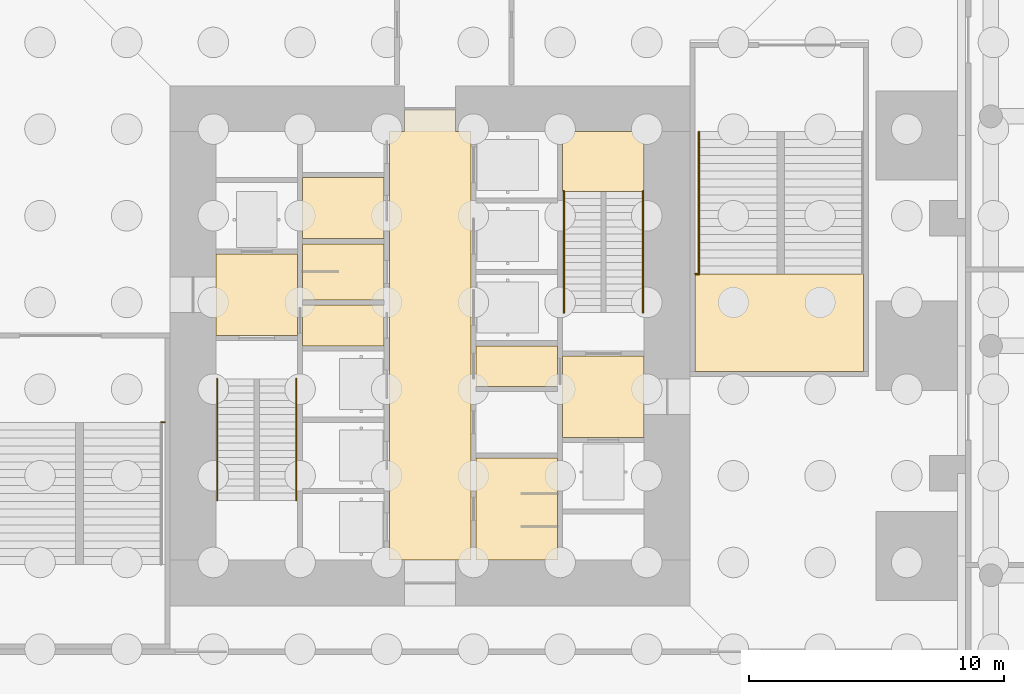
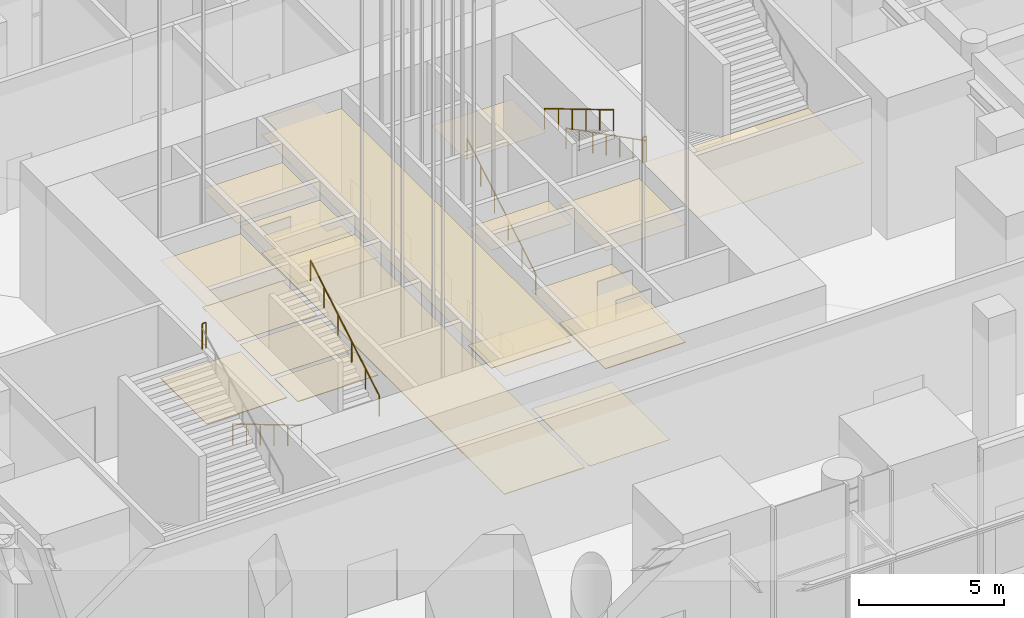
# One storey, part 44 of 46: 18 coverings, 7 railings.
"""IFC4 building model written with IfcOpenShell, lengths in metres."""

import ifcopenshell
import ifcopenshell.guid

model = None  # the IFC model being written
_history = None  # IfcOwnerHistory: only IFC2X3 demands one
_inside = {}  # id of a spatial element -> (the spatial element, [elements in it])
_under = {}  # id of a project, library or spatial element -> (it, [spatial elements below it])
_declared = {}  # id of a project -> (the project, [libraries it declares])
_typed = {}  # id of a type object -> (the type object, [elements of that type])
_made_of = {}  # id of a material, layer set ... -> (it, [elements and type objects made of it])


def new_model(schema):
    """Start an empty IFC model of exactly this schema.

    Asked for "IFC4X3", IfcOpenShell would pick the latest addendum, in which some entities
    have other attributes; the version numbers below select the first issue.
    IFC2X3 requires an IfcOwnerHistory on every rooted entity: one is made here for all.
    """
    global model, _history
    if schema == "IFC4X3":
        model = ifcopenshell.file(schema_version=(4, 3, 0, 0))
    else:
        model = ifcopenshell.file(schema=schema)
    _inside.clear()
    _under.clear()
    _declared.clear()
    _typed.clear()
    _made_of.clear()
    _history = None
    if model.schema == "IFC2X3":
        org = make("IfcOrganization", Name="unknown")
        user = make(
            "IfcPersonAndOrganization",
            ThePerson=make("IfcPerson", FamilyName="unknown"),
            TheOrganization=org,
        )
        app = make(
            "IfcApplication",
            ApplicationDeveloper=org,
            Version="unknown",
            ApplicationFullName="unknown",
            ApplicationIdentifier="unknown",
        )
        _history = make(
            "IfcOwnerHistory",
            OwningUser=user,
            OwningApplication=app,
            ChangeAction="ADDED",
            CreationDate=0,
        )
    return model


def make(cls, **values):
    """One entity of the class cls with the attributes given. An attribute that is None is left unset."""
    return model.create_entity(
        cls, **{name: value for name, value in values.items() if value is not None}
    )


def rooted(cls, **values):
    """An entity with a GlobalId (a new one), such as an element, a storey or a relation."""
    return make(cls, GlobalId=ifcopenshell.guid.new(), OwnerHistory=_history, **values)


def si_unit(unit_type, name, prefix=None):
    """IfcSIUnit, for example si_unit("LENGTHUNIT", "METRE", prefix="MILLI")."""
    return make("IfcSIUnit", UnitType=unit_type, Prefix=prefix, Name=name)


def assignment(units):
    """IfcUnitAssignment: the units of a project."""
    return None if units is None else make("IfcUnitAssignment", Units=units)


def point(xyz):
    """IfcCartesianPoint."""
    return None if xyz is None else make("IfcCartesianPoint", Coordinates=xyz)


def direction(xyz):
    """IfcDirection."""
    return None if xyz is None else make("IfcDirection", DirectionRatios=xyz)


def frame(location, z_axis=None, x_axis=None):
    """IfcAxis2Placement3D, a coordinate frame: its origin and axes. An axis left out is left unset."""
    return make(
        "IfcAxis2Placement3D",
        Location=point(location),
        Axis=direction(z_axis),
        RefDirection=direction(x_axis),
    )


def frame_2d(location, x_axis=None):
    """IfcAxis2Placement2D, a coordinate frame in the plane: its origin and x axis."""
    return make(
        "IfcAxis2Placement2D", Location=point(location), RefDirection=direction(x_axis)
    )


def origin():
    """The frame at (0, 0, 0) with its axes left unset."""
    return frame((0.0, 0.0, 0.0))


def origin_2d():
    """The frame at (0, 0) in the plane with its x axis left unset."""
    return frame_2d((0.0, 0.0))


def place(relative_to, where):
    """IfcLocalPlacement: puts the frame where relative to a parent placement (None: the world)."""
    return make(
        "IfcLocalPlacement", PlacementRelTo=relative_to, RelativePlacement=where
    )


def context(
    kind, dimensions, precision=None, world=None, true_north=None, identifier=None
):
    """IfcGeometricRepresentationContext, for example the 3D "Model" context."""
    return make(
        "IfcGeometricRepresentationContext",
        ContextIdentifier=identifier,
        ContextType=kind,
        CoordinateSpaceDimension=dimensions,
        Precision=precision,
        WorldCoordinateSystem=world,
        TrueNorth=true_north,
    )


def subcontext(parent, identifier, kind, view, scale=None):
    """IfcGeometricRepresentationSubContext, for example "Body" below "Model"."""
    return make(
        "IfcGeometricRepresentationSubContext",
        ContextIdentifier=identifier,
        ContextType=kind,
        ParentContext=parent,
        TargetScale=scale,
        TargetView=view,
    )


def project(units=None, contexts=None):
    """IfcProject with its units and contexts."""
    return rooted(
        "IfcProject",
        Name="project",
        RepresentationContexts=contexts,
        UnitsInContext=assignment(units),
    )


def spatial(cls, under=None, at=None, **own):
    """A site, building, storey or space (cls), placed at a placement, below another one or the project."""
    s = rooted(cls, ObjectPlacement=at, **own)
    if under is not None:
        _under.setdefault(under.id(), (under, []))[1].append(s)
    return s


def polyline(points):
    """IfcPolyline through the points."""
    return make("IfcPolyline", Points=[point(p) for p in points])


def profile(cls, at=None, kind="AREA", **sizes):
    """A parametric profile (cls). Its sizes go by their IFC names, for example OverallWidth=200.0."""
    return make(cls, ProfileType=kind, Position=at, **sizes)


def circle(**sizes):
    """IfcCircleProfileDef."""
    return profile("IfcCircleProfileDef", **sizes)


def outline(outer, holes=None, kind="AREA"):
    """IfcArbitraryClosedProfileDef: a profile drawn as a closed curve; with holes, ...WithVoids."""
    if holes is None:
        return make("IfcArbitraryClosedProfileDef", ProfileType=kind, OuterCurve=outer)
    return make(
        "IfcArbitraryProfileDefWithVoids",
        ProfileType=kind,
        OuterCurve=outer,
        InnerCurves=holes,
    )


def extrude(swept, where, along, depth):
    """IfcExtrudedAreaSolid: the profile swept, set in the frame where, extruded along a direction by depth."""
    return make(
        "IfcExtrudedAreaSolid",
        SweptArea=swept,
        Position=where,
        ExtrudedDirection=direction(along),
        Depth=depth,
    )


def shape(context_of_items, identifier, shape_type, items):
    """IfcShapeRepresentation: the items that make up one representation, for example the "Body"."""
    return make(
        "IfcShapeRepresentation",
        ContextOfItems=context_of_items,
        RepresentationIdentifier=identifier,
        RepresentationType=shape_type,
        Items=items,
    )


def material(Name=None, Category=None):
    """IfcMaterial."""
    return make("IfcMaterial", Name=Name, Category=Category)


def layer(
    of_material, thickness, ventilated=None, Name=None, Category=None, Priority=None
):
    """IfcMaterialLayer: one layer of a wall or slab, of a material (None: an air gap)."""
    return make(
        "IfcMaterialLayer",
        Material=of_material,
        LayerThickness=thickness,
        IsVentilated=ventilated,
        Name=Name,
        Category=Category,
        Priority=Priority,
    )


def layer_set(layers, Name=None):
    """IfcMaterialLayerSet."""
    return make("IfcMaterialLayerSet", MaterialLayers=layers, LayerSetName=Name)


def made_of(thing, what):
    """Note that an element or type object is made of a material, layer set ...; save() writes the relation."""
    if what is not None:
        _made_of.setdefault(what.id(), (what, []))[1].append(thing)
    return thing


def type_object(cls, material=None, **own):
    """A type object (cls), such as IfcWallType, which elements share."""
    return made_of(rooted(cls, **own), material)


def element(
    cls,
    number,
    at=None,
    inside=None,
    cuts=None,
    type_object=None,
    material=None,
    context=None,
    identifier="Body",
    shape_type=None,
    held_by="IfcProductDefinitionShape",
    body=None,
    shapes=None,
    **own,
):
    """One element of the class cls, such as IfcWall. Its Tag is "e" and its number.

    at: its placement. inside: the storey or other place that contains it. cuts: it is an
    opening in that element (IfcRelVoidsElement). A single representation is given by context,
    identifier, shape_type and body (its items); several are given by shapes. held_by: the class
    of the entity that holds the representations. save() writes the other relations.
    """
    e = rooted(cls, Tag="e%d" % number, ObjectPlacement=at, **own)
    if body is not None:
        shapes = [shape(context, identifier, shape_type, body)]
    if shapes is not None:
        e.Representation = make(held_by, Representations=shapes)
    if inside is not None:
        _inside.setdefault(inside.id(), (inside, []))[1].append(e)
    if cuts is not None:
        rooted(
            "IfcRelVoidsElement", RelatingBuildingElement=cuts, RelatedOpeningElement=e
        )
    if type_object is not None:
        _typed.setdefault(type_object.id(), (type_object, []))[1].append(e)
    return made_of(e, material)


def aggregate(whole, parts):
    """IfcRelAggregates: a whole, such as a stair, and the parts it consists of."""
    return rooted("IfcRelAggregates", RelatingObject=whole, RelatedObjects=parts)


def save(model, path):
    """Write the relations noted so far, then the file.

    IfcRelAggregates (storeys below a building ...), IfcRelContainedInSpatialStructure (elements
    in a storey), IfcRelDefinesByType, IfcRelAssociatesMaterial and IfcRelDeclares: one each for
    every whole, place, type object, material and project.
    """
    for whole, parts in _under.values():
        aggregate(whole, parts)
    for where, things in _inside.values():
        rooted(
            "IfcRelContainedInSpatialStructure",
            RelatedElements=things,
            RelatingStructure=where,
        )
    for kind, things in _typed.values():
        rooted("IfcRelDefinesByType", RelatedObjects=things, RelatingType=kind)
    for what, things in _made_of.values():
        rooted("IfcRelAssociatesMaterial", RelatedObjects=things, RelatingMaterial=what)
    for by, libraries in _declared.values():
        rooted("IfcRelDeclares", RelatingContext=by, RelatedDefinitions=libraries)
    model.write(path)


model = new_model("IFC4")

# Units and contexts
model_context = context("Model", 3, precision=1e-05, world=origin(), true_north=direction((0.0, 1.0)))
body_context = subcontext(model_context, "Body", "Model", "MODEL_VIEW")
ifc_project = project(units=[si_unit("LENGTHUNIT", "METRE"), si_unit("AREAUNIT", "SQUARE_METRE"), si_unit("VOLUMEUNIT", "CUBIC_METRE"), si_unit("PLANEANGLEUNIT", "RADIAN"), si_unit("MASSUNIT", "GRAM", prefix="KILO")], contexts=[model_context])

# Site, building, storey
site_placement = place(None, origin())
site = spatial("IfcSite", under=ifc_project, at=site_placement, CompositionType="ELEMENT")
building_placement = place(site_placement, origin())
building = spatial("IfcBuilding", under=site, at=building_placement, Name="Svetlomir Tower", CompositionType="ELEMENT")
storey_placement = place(building_placement, origin())
storey = spatial("IfcBuildingStorey", under=building, at=storey_placement, Name="L00", CompositionType="ELEMENT", Elevation=0.0)

# Coverings
ifc_material_1 = material(Name="Ceramic floor tile", Category="ceramic")
ifc_layer_1 = layer(ifc_material_1, 0.014892578125)
ifc_layer_set_1 = layer_set([ifc_layer_1], Name="Ceramic floor tile")
covering_type_1 = type_object("IfcCoveringType", Name="CERAMIC TILE FLOOR 15", PredefinedType="FLOORING", material=ifc_layer_set_1)
covering_1_placement = place(storey_placement, origin())
element("IfcCovering", 1, at=covering_1_placement, inside=storey, type_object=covering_type_1, Name="Floor finish L00-04", PredefinedType="FLOORING", context=body_context, shape_type="SweptSolid", body=[
    extrude(outline(polyline([(16.0, 22.800048828125), (19.199951171875, 22.800048828125), (19.199951171875, 25.0), (16.0, 25.0), (16.0, 22.800048828125)])), origin(), (0.0, 0.0, 1.0), 0.014892578125),
])
covering_2_placement = place(storey_placement, origin())
element("IfcCovering", 2, at=covering_2_placement, inside=storey, type_object=covering_type_1, Name="Floor finish L00-05", PredefinedType="FLOORING", context=body_context, shape_type="SweptSolid", body=[
    extrude(outline(polyline([(16.0, 25.199951171875), (19.199951171875, 25.199951171875), (19.199951171875, 27.60009765625), (16.0, 27.60009765625), (16.0, 25.199951171875)])), origin(), (0.0, 0.0, 1.0), 0.014892578125),
])
covering_3_placement = place(storey_placement, origin())
element("IfcCovering", 3, at=covering_3_placement, inside=storey, type_object=covering_type_1, Name="Floor finish L00-08", PredefinedType="FLOORING", context=body_context, shape_type="SweptSolid", body=[
    extrude(outline(polyline([(22.800048828125, 12.60009765625), (26.0, 12.60009765625), (26.0, 16.60009765625), (22.800048828125, 16.60009765625), (22.800048828125, 12.60009765625)])), origin(), (0.0, 0.0, 1.0), 0.014892578125),
])

# Railings
ifc_material_2 = material(Name="Stainless steel", Category="steel")
railing_type_1 = type_object("IfcRailingType", Name="HANDRAIL HR1 900", PredefinedType="HANDRAIL", material=ifc_material_2)
railing_1_placement = place(storey_placement, frame((12.64990234375, 19.699951171875, 0.166748046875)))
element("IfcRailing", 4, at=railing_1_placement, inside=storey, type_object=railing_type_1, Name="Handrail S1 flight 1 L00", PredefinedType="HANDRAIL", context=body_context, shape_type="SweptSolid", body=[
    extrude(circle(Radius=0.02392578125, at=origin_2d()), frame((0.0, 0.0, 0.8759765625), z_axis=(0.0, -0.859299802514, 0.511472237174), x_axis=(1.0, 0.0, 0.0)), (0.0, 0.0, 1.0), 5.539306640625),
    extrude(circle(Radius=0.02099609375, at=origin_2d()), origin(), (0.0, 0.0, 1.0), 0.851806640625),
    extrude(circle(Radius=0.02099609375, at=origin_2d()), frame((0.0, -0.951904296875, 0.566650390625)), (0.0, 0.0, 1.0), 0.851806640625),
    extrude(circle(Radius=0.02099609375, at=origin_2d()), frame((0.0, -1.904052734375, 1.13330078125)), (0.0, 0.0, 1.0), 0.851806640625),
    extrude(circle(Radius=0.02099609375, at=origin_2d()), frame((0.0, -2.85595703125, 1.699951171875)), (0.0, 0.0, 1.0), 0.851806640625),
    extrude(circle(Radius=0.02099609375, at=origin_2d()), frame((0.0, -3.80810546875, 2.2666015625)), (0.0, 0.0, 1.0), 0.851806640625),
    extrude(circle(Radius=0.02099609375, at=origin_2d()), frame((0.0, -4.760009765625, 2.833251953125)), (0.0, 0.0, 1.0), 0.851806640625),
])
for number, where, name in (
    (5, (15.75, 14.93994140625, 3.166748046875), "Handrail S1 flight 2 L00"),
    (6, (26.25, 22.300048828125, 0.166748046875), "Handrail S2 flight 1 L00"),
):
    element("IfcRailing", number, at=place(storey_placement, frame(where)), inside=storey, type_object=railing_type_1, Name=name, PredefinedType="HANDRAIL", context=body_context, shape_type="SweptSolid", body=[
        extrude(circle(Radius=0.02392578125, at=origin_2d()), frame((0.0, 0.0, 0.8759765625), z_axis=(0.0, 0.859299802514, 0.511472237174), x_axis=(-1.0, 0.0, 0.0)), (0.0, 0.0, 1.0), 5.539306640625),
        extrude(circle(Radius=0.02099609375, at=origin_2d()), origin(), (0.0, 0.0, 1.0), 0.851806640625),
        extrude(circle(Radius=0.02099609375, at=origin_2d()), frame((0.0, 0.951904296875, 0.566650390625)), (0.0, 0.0, 1.0), 0.851806640625),
        extrude(circle(Radius=0.02099609375, at=origin_2d()), frame((0.0, 1.904052734375, 1.13330078125)), (0.0, 0.0, 1.0), 0.851806640625),
        extrude(circle(Radius=0.02099609375, at=origin_2d()), frame((0.0, 2.85595703125, 1.699951171875)), (0.0, 0.0, 1.0), 0.851806640625),
        extrude(circle(Radius=0.02099609375, at=origin_2d()), frame((0.0, 3.80810546875, 2.2666015625)), (0.0, 0.0, 1.0), 0.851806640625),
        extrude(circle(Radius=0.02099609375, at=origin_2d()), frame((0.0, 4.760009765625, 2.833251953125)), (0.0, 0.0, 1.0), 0.851806640625),
    ])
railing_2_placement = place(storey_placement, frame((29.35009765625, 27.06005859375, 3.166748046875)))
element("IfcRailing", 7, at=railing_2_placement, inside=storey, type_object=railing_type_1, Name="Handrail S2 flight 2 L00", PredefinedType="HANDRAIL", context=body_context, shape_type="SweptSolid", body=[
    extrude(circle(Radius=0.02392578125, at=origin_2d()), frame((0.0, 0.0, 0.8759765625), z_axis=(0.0, -0.859299802514, 0.511472237174), x_axis=(1.0, 0.0, 0.0)), (0.0, 0.0, 1.0), 5.539306640625),
    extrude(circle(Radius=0.02099609375, at=origin_2d()), origin(), (0.0, 0.0, 1.0), 0.851806640625),
    extrude(circle(Radius=0.02099609375, at=origin_2d()), frame((0.0, -0.951904296875, 0.566650390625)), (0.0, 0.0, 1.0), 0.851806640625),
    extrude(circle(Radius=0.02099609375, at=origin_2d()), frame((0.0, -1.904052734375, 1.13330078125)), (0.0, 0.0, 1.0), 0.851806640625),
    extrude(circle(Radius=0.02099609375, at=origin_2d()), frame((0.0, -2.85595703125, 1.699951171875)), (0.0, 0.0, 1.0), 0.851806640625),
    extrude(circle(Radius=0.02099609375, at=origin_2d()), frame((0.0, -3.80810546875, 2.2666015625)), (0.0, 0.0, 1.0), 0.851806640625),
    extrude(circle(Radius=0.02099609375, at=origin_2d()), frame((0.0, -4.760009765625, 2.833251953125)), (0.0, 0.0, 1.0), 0.851806640625),
])
railing_3_placement = place(storey_placement, frame((31.550048828125, 29.39990234375, 0.157958984375)))
element("IfcRailing", 8, at=railing_3_placement, inside=storey, type_object=railing_type_1, Name="Handrail P2 flight 1 L00", PredefinedType="HANDRAIL", context=body_context, shape_type="SweptSolid", body=[
    extrude(circle(Radius=0.02392578125, at=origin_2d()), frame((0.0, 0.0, 0.8759765625), z_axis=(0.0, -0.891072818366, 0.453860366598), x_axis=(1.0, 0.0, 0.0)), (0.0, 0.0, 1.0), 6.261962890625),
    extrude(circle(Radius=0.02099609375, at=origin_2d()), origin(), (0.0, 0.0, 1.0), 0.851806640625),
    extrude(circle(Radius=0.02099609375, at=origin_2d()), frame((0.0, -0.929931640625, 0.4736328125)), (0.0, 0.0, 1.0), 0.851806640625),
    extrude(circle(Radius=0.02099609375, at=origin_2d()), frame((0.0, -1.85986328125, 0.947265625)), (0.0, 0.0, 1.0), 0.851806640625),
    extrude(circle(Radius=0.02099609375, at=origin_2d()), frame((0.0, -2.7900390625, 1.4208984375)), (0.0, 0.0, 1.0), 0.851806640625),
    extrude(circle(Radius=0.02099609375, at=origin_2d()), frame((0.0, -3.719970703125, 1.894775390625)), (0.0, 0.0, 1.0), 0.851806640625),
    extrude(circle(Radius=0.02099609375, at=origin_2d()), frame((0.0, -4.64990234375, 2.368408203125)), (0.0, 0.0, 1.0), 0.851806640625),
    extrude(circle(Radius=0.02099609375, at=origin_2d()), frame((0.0, -5.579833984375, 2.842041015625)), (0.0, 0.0, 1.0), 0.851806640625),
])

# Coverings
ifc_material_3 = material(Name="Moisture resistant plasterboard ceiling", Category="gypsum")
ifc_layer_2 = layer(ifc_material_3, 0.012451171875)
ifc_layer_set_2 = layer_set([ifc_layer_2], Name="Moisture resistant plasterboard ceiling")
covering_type_2 = type_object("IfcCoveringType", Name="MOISTURE RESISTANT CEILING 12.5", PredefinedType="CEILING", material=ifc_layer_set_2)
covering_4_placement = place(storey_placement, frame((0.0, 0.0, 4.987548828125)))
element("IfcCovering", 9, at=covering_4_placement, inside=storey, type_object=covering_type_2, Name="Ceiling L00-04", PredefinedType="CEILING", context=body_context, shape_type="SweptSolid", body=[
    extrude(outline(polyline([(16.0, 22.800048828125), (19.199951171875, 22.800048828125), (19.199951171875, 25.0), (16.0, 25.0), (16.0, 22.800048828125)])), origin(), (0.0, 0.0, 1.0), 0.012451171875),
])
covering_5_placement = place(storey_placement, frame((0.0, 0.0, 4.987548828125)))
element("IfcCovering", 10, at=covering_5_placement, inside=storey, type_object=covering_type_2, Name="Ceiling L00-05", PredefinedType="CEILING", context=body_context, shape_type="SweptSolid", body=[
    extrude(outline(polyline([(16.0, 25.199951171875), (19.199951171875, 25.199951171875), (19.199951171875, 27.60009765625), (16.0, 27.60009765625), (16.0, 25.199951171875)])), origin(), (0.0, 0.0, 1.0), 0.012451171875),
])
covering_6_placement = place(storey_placement, frame((0.0, 0.0, 4.987548828125)))
element("IfcCovering", 11, at=covering_6_placement, inside=storey, type_object=covering_type_2, Name="Ceiling L00-08", PredefinedType="CEILING", context=body_context, shape_type="SweptSolid", body=[
    extrude(outline(polyline([(22.800048828125, 12.60009765625), (26.0, 12.60009765625), (26.0, 16.60009765625), (22.800048828125, 16.60009765625), (22.800048828125, 12.60009765625)])), origin(), (0.0, 0.0, 1.0), 0.012451171875),
])
ifc_material_4 = material(Name="Gypsum plasterboard ceiling", Category="gypsum")
ifc_layer_3 = layer(ifc_material_4, 0.014892578125)
ifc_layer_set_3 = layer_set([ifc_layer_3], Name="Gypsum plasterboard ceiling")
covering_type_3 = type_object("IfcCoveringType", Name="PLASTERBOARD CEILING 15", PredefinedType="CEILING", material=ifc_layer_set_3)
covering_7_placement = place(storey_placement, frame((0.0, 0.0, 4.985107421875)))
element("IfcCovering", 12, at=covering_7_placement, inside=storey, type_object=covering_type_3, Name="Ceiling L00-02", PredefinedType="CEILING", context=body_context, shape_type="SweptSolid", body=[
    extrude(outline(polyline([(12.60009765625, 21.39990234375), (15.800048828125, 21.39990234375), (15.800048828125, 24.60009765625), (12.60009765625, 24.60009765625), (12.60009765625, 21.39990234375)])), origin(), (0.0, 0.0, 1.0), 0.014892578125),
])
covering_8_placement = place(storey_placement, frame((0.0, 0.0, 4.985107421875)))
element("IfcCovering", 13, at=covering_8_placement, inside=storey, type_object=covering_type_3, Name="Ceiling L00-03", PredefinedType="CEILING", context=body_context, shape_type="SweptSolid", body=[
    extrude(outline(polyline([(16.0, 21.0), (19.199951171875, 21.0), (19.199951171875, 22.60009765625), (16.0, 22.60009765625), (16.0, 21.0)])), origin(), (0.0, 0.0, 1.0), 0.014892578125),
])
covering_9_placement = place(storey_placement, frame((0.0, 0.0, 4.985107421875)))
element("IfcCovering", 14, at=covering_9_placement, inside=storey, type_object=covering_type_3, Name="Ceiling L00-07", PredefinedType="CEILING", context=body_context, shape_type="SweptSolid", body=[
    extrude(outline(polyline([(19.39990234375, 12.60009765625), (22.60009765625, 12.60009765625), (22.60009765625, 29.39990234375), (22.0, 29.39990234375), (22.0, 30.25), (20.0, 30.25), (20.0, 29.39990234375), (19.39990234375, 29.39990234375), (19.39990234375, 12.60009765625)])), origin(), (0.0, 0.0, 1.0), 0.014892578125),
])
covering_10_placement = place(storey_placement, frame((0.0, 0.0, 4.985107421875)))
element("IfcCovering", 15, at=covering_10_placement, inside=storey, type_object=covering_type_3, Name="Ceiling L00-10", PredefinedType="CEILING", context=body_context, shape_type="SweptSolid", body=[
    extrude(outline(polyline([(22.800048828125, 19.39990234375), (26.0, 19.39990234375), (26.0, 21.0), (22.800048828125, 21.0), (22.800048828125, 19.39990234375)])), origin(), (0.0, 0.0, 1.0), 0.014892578125),
])
covering_11_placement = place(storey_placement, frame((0.0, 0.0, 4.985107421875)))
element("IfcCovering", 16, at=covering_11_placement, inside=storey, type_object=covering_type_3, Name="Ceiling L00-11", PredefinedType="CEILING", context=body_context, shape_type="SweptSolid", body=[
    extrude(outline(polyline([(26.199951171875, 17.39990234375), (29.39990234375, 17.39990234375), (29.39990234375, 20.60009765625), (26.199951171875, 20.60009765625), (26.199951171875, 17.39990234375)])), origin(), (0.0, 0.0, 1.0), 0.014892578125),
])
ifc_material_5 = material(Name="Studded rubber floor finish", Category="rubber")
ifc_layer_4 = layer(ifc_material_5, 0.006103515625)
ifc_layer_set_4 = layer_set([ifc_layer_4], Name="Studded rubber floor finish")
covering_type_4 = type_object("IfcCoveringType", Name="RUBBER LANDING FINISH 6", PredefinedType="FLOORING", material=ifc_layer_set_4)
covering_12_placement = place(storey_placement, frame((0.0, 0.0, 3.0)))
element("IfcCovering", 17, at=covering_12_placement, inside=storey, type_object=covering_type_4, Name="Stair S2 landing finish L00", PredefinedType="FLOORING", context=body_context, shape_type="SweptSolid", body=[
    extrude(outline(polyline([(26.199951171875, 27.06005859375), (29.39990234375, 27.06005859375), (29.39990234375, 29.39990234375), (26.199951171875, 29.39990234375), (26.199951171875, 27.06005859375)])), origin(), (0.0, 0.0, 1.0), 0.006103515625),
])
covering_13_placement = place(storey_placement, frame((0.0, 0.0, 3.0)))
element("IfcCovering", 18, at=covering_13_placement, inside=storey, type_object=covering_type_4, Name="Stair P2 landing finish L00", PredefinedType="FLOORING", context=body_context, shape_type="SweptSolid", body=[
    extrude(outline(polyline([(31.39990234375, 20.0), (38.0, 20.0), (38.0, 23.820068359375), (31.39990234375, 23.820068359375), (31.39990234375, 20.0)])), origin(), (0.0, 0.0, 1.0), 0.006103515625),
])

# Railings
ifc_material_6 = material(Name="Painted steel balustrade", Category="steel")
railing_type_2 = type_object("IfcRailingType", Name="STAIR WELL GUARD GR3 1100", PredefinedType="GUARDRAIL", material=ifc_material_6)
railing_4_placement = place(storey_placement, frame((10.449951171875, 18.0, 6.0)))
element("IfcRailing", 19, at=railing_4_placement, inside=storey, type_object=railing_type_2, Name="Stair P1 slot guard 2 L00", PredefinedType="GUARDRAIL", context=body_context, shape_type="SweptSolid", body=[
    extrude(circle(Radius=0.02392578125, at=origin_2d()), frame((0.0, 0.0, 1.076171875), z_axis=(1.0, 0.0, 0.0), x_axis=(0.0, 1.0, 0.0)), (0.0, 0.0, 1.0), 0.150146484375),
    extrude(circle(Radius=0.02099609375, at=origin_2d()), origin(), (0.0, 0.0, 1.0), 1.052001953125),
    extrude(circle(Radius=0.02099609375, at=origin_2d()), frame((0.150146484375, 0.0, 0.0)), (0.0, 0.0, 1.0), 1.052001953125),
])
railing_5_placement = place(storey_placement, frame((31.550048828125, 23.820068359375, 3.0)))
element("IfcRailing", 20, at=railing_5_placement, inside=storey, type_object=railing_type_2, Name="Stair P2 slot guard 1 L00", PredefinedType="GUARDRAIL", context=body_context, shape_type="SweptSolid", body=[
    extrude(circle(Radius=0.02392578125, at=origin_2d()), frame((0.0, 0.0, 1.076171875), z_axis=(-1.0, 0.0, 0.0), x_axis=(0.0, -1.0, 0.0)), (0.0, 0.0, 1.0), 0.150146484375),
    extrude(circle(Radius=0.02099609375, at=origin_2d()), origin(), (0.0, 0.0, 1.0), 1.052001953125),
    extrude(circle(Radius=0.02099609375, at=origin_2d()), frame((-0.150146484375, 0.0, 0.0)), (0.0, 0.0, 1.0), 1.052001953125),
])

# Coverings
ifc_material_7 = material(Name="Bronze-aggregate terrazzo", Category="stone")
ifc_layer_5 = layer(ifc_material_7, 0.030029296875)
ifc_layer_set_5 = layer_set([ifc_layer_5], Name="Bronze-aggregate terrazzo")
covering_type_5 = type_object("IfcCoveringType", Name="TERRAZZO FLOOR 30", PredefinedType="FLOORING", material=ifc_layer_set_5)
covering_14_placement = place(storey_placement, origin())
element("IfcCovering", 21, at=covering_14_placement, inside=storey, type_object=covering_type_5, Name="Floor finish L00-02", PredefinedType="FLOORING", context=body_context, shape_type="SweptSolid", body=[
    extrude(outline(polyline([(12.60009765625, 21.39990234375), (15.800048828125, 21.39990234375), (15.800048828125, 24.60009765625), (12.60009765625, 24.60009765625), (12.60009765625, 21.39990234375)])), origin(), (0.0, 0.0, 1.0), 0.030029296875),
])
covering_15_placement = place(storey_placement, origin())
element("IfcCovering", 22, at=covering_15_placement, inside=storey, type_object=covering_type_5, Name="Floor finish L00-03", PredefinedType="FLOORING", context=body_context, shape_type="SweptSolid", body=[
    extrude(outline(polyline([(16.0, 21.0), (19.199951171875, 21.0), (19.199951171875, 22.60009765625), (16.0, 22.60009765625), (16.0, 21.0)])), origin(), (0.0, 0.0, 1.0), 0.030029296875),
])
covering_16_placement = place(storey_placement, origin())
element("IfcCovering", 23, at=covering_16_placement, inside=storey, type_object=covering_type_5, Name="Floor finish L00-07", PredefinedType="FLOORING", context=body_context, shape_type="SweptSolid", body=[
    extrude(outline(polyline([(19.39990234375, 12.60009765625), (22.60009765625, 12.60009765625), (22.60009765625, 29.39990234375), (22.0, 29.39990234375), (22.0, 30.25), (20.0, 30.25), (20.0, 29.39990234375), (19.39990234375, 29.39990234375), (19.39990234375, 12.60009765625)])), origin(), (0.0, 0.0, 1.0), 0.030029296875),
])
covering_17_placement = place(storey_placement, origin())
element("IfcCovering", 24, at=covering_17_placement, inside=storey, type_object=covering_type_5, Name="Floor finish L00-10", PredefinedType="FLOORING", context=body_context, shape_type="SweptSolid", body=[
    extrude(outline(polyline([(22.800048828125, 19.39990234375), (26.0, 19.39990234375), (26.0, 21.0), (22.800048828125, 21.0), (22.800048828125, 19.39990234375)])), origin(), (0.0, 0.0, 1.0), 0.030029296875),
])
covering_18_placement = place(storey_placement, origin())
element("IfcCovering", 25, at=covering_18_placement, inside=storey, type_object=covering_type_5, Name="Floor finish L00-11", PredefinedType="FLOORING", context=body_context, shape_type="SweptSolid", body=[
    extrude(outline(polyline([(26.199951171875, 17.39990234375), (29.39990234375, 17.39990234375), (29.39990234375, 20.60009765625), (26.199951171875, 20.60009765625), (26.199951171875, 17.39990234375)])), origin(), (0.0, 0.0, 1.0), 0.030029296875),
])

save(model, "model.ifc")
